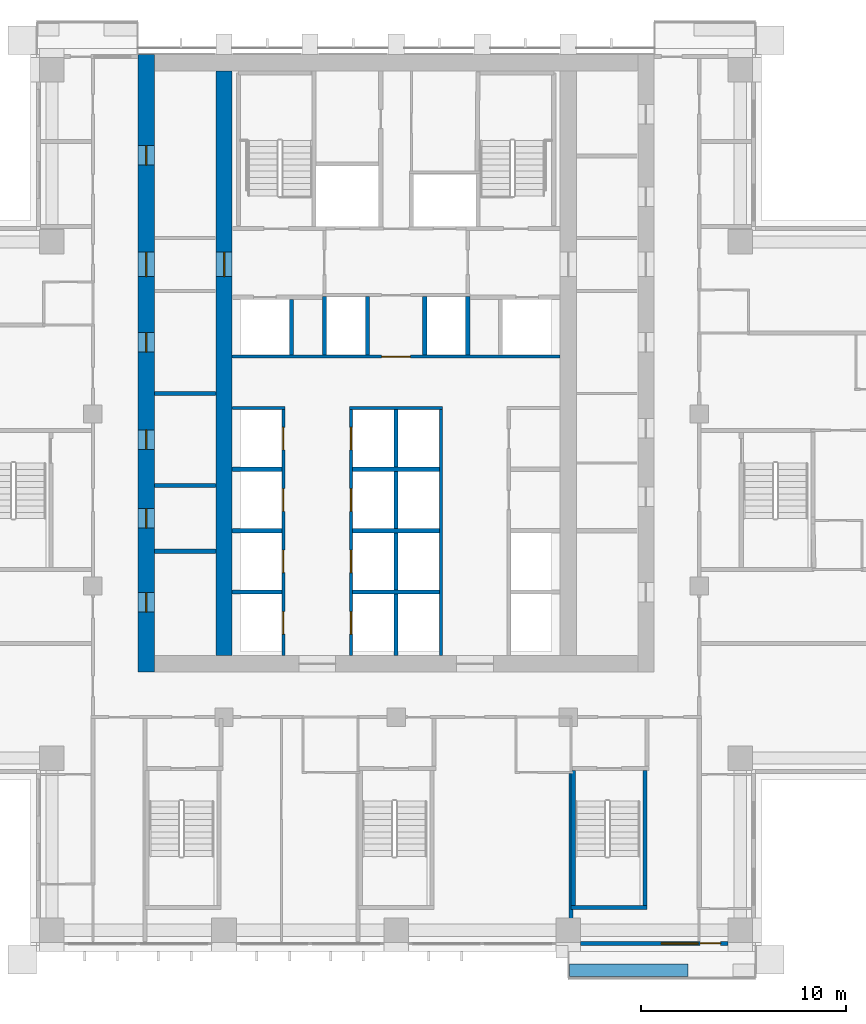
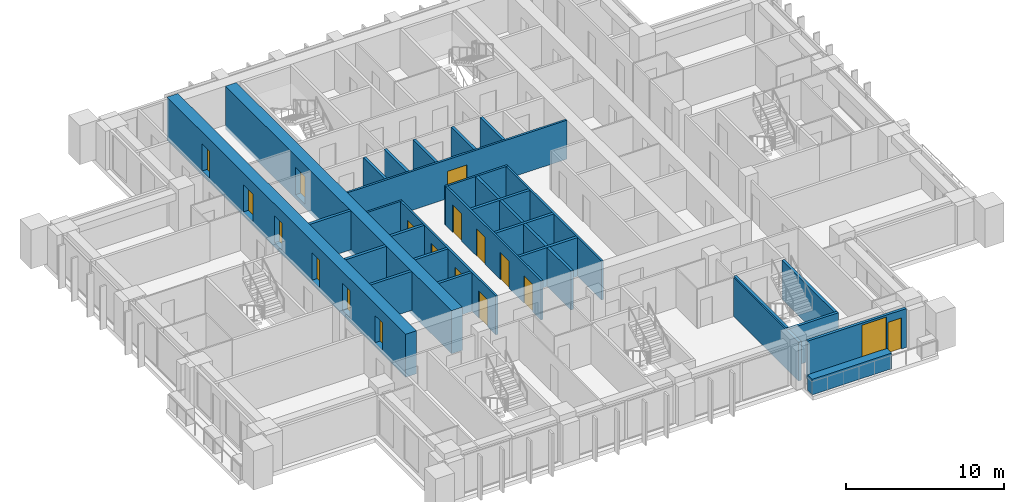
# One storey, part 11 of 21: 29 walls, 17 doors, 1 window, 18 openings.
"""IFC4 building model written with IfcOpenShell, lengths in metres."""

from ifc_helpers import new_model, si_unit, direction, frame, frame_2d, origin, place, context, subcontext, project, spatial, rectangle, extrude, material, layer, layer_set, type_object, element, fill, save


model = new_model("IFC4")

# Units and contexts
model_context = context("Model", 3, precision=1e-05, world=origin(), true_north=direction((0.0, 1.0)))
body_context = subcontext(model_context, "Body", "Model", "MODEL_VIEW")
ifc_project = project(units=[si_unit("LENGTHUNIT", "METRE"), si_unit("AREAUNIT", "SQUARE_METRE"), si_unit("VOLUMEUNIT", "CUBIC_METRE"), si_unit("PLANEANGLEUNIT", "RADIAN"), si_unit("MASSUNIT", "GRAM", prefix="KILO")], contexts=[model_context])

# Site, building, storey
site_placement = place(None, origin())
site = spatial("IfcSite", under=ifc_project, at=site_placement, CompositionType="ELEMENT")
building_placement = place(site_placement, origin())
building = spatial("IfcBuilding", under=site, at=building_placement, Name="Vermilion Ogive Tower", CompositionType="ELEMENT")
storey_placement = place(building_placement, frame((0.0, 0.0, 118.35009765625)))
storey = spatial("IfcBuildingStorey", under=building, at=storey_placement, Name="L30", CompositionType="ELEMENT", Elevation=118.35009765625)

# Wall, openings, doors
ifc_material_1 = material(Name="Concrete B80", Category="concrete")
ifc_layer_1 = layer(ifc_material_1, 0.800048828125)
ifc_layer_set_1 = layer_set([ifc_layer_1], Name="Core wall 800 B80")
wall_type_1 = type_object("IfcWallType", Name="Core wall 800 B80", PredefinedType="SHEAR", material=ifc_layer_set_1)
wall_1_placement = place(storey_placement, frame((-12.199951171875, -8.39990234375, -0.320068359375), z_axis=(0.0, 0.0, 1.0), x_axis=(0.0, 1.0, 0.0)))
wall_1 = element("IfcWall", 1, at=wall_1_placement, inside=storey, type_object=wall_type_1, Name="L30-CORE-W", PredefinedType="SHEAR", context=body_context, shape_type="SweptSolid", body=[
    extrude(rectangle(XDim=30.14990234375, YDim=0.800048828125, at=frame_2d((15.074951171875, 0.0))), origin(), (0.0, 0.0, 1.0), 3.320068359375),
])
opening_1_placement = place(wall_1_placement, frame((2.925048828125, 0.0, 0.320068359375)))
opening_1 = element("IfcOpeningElement", 2, at=opening_1_placement, cuts=wall_1, Name="Opening DAD062", PredefinedType="OPENING", context=body_context, shape_type="SweptSolid", body=[
    extrude(rectangle(XDim=0.949951171875, YDim=2.10009765625, at=frame_2d((0.47509765625, 1.050048828125))), frame((0.0, 0.409912109375, 0.0), z_axis=(0.0, -1.0, 0.0), x_axis=(1.0, 0.0, 0.0)), (0.0, 0.0, 1.0), 0.820068359375),
])
opening_2_placement = place(wall_1_placement, frame((7.02490234375, 0.0, 0.320068359375)))
opening_2 = element("IfcOpeningElement", 3, at=opening_2_placement, cuts=wall_1, Name="Opening DAD063", PredefinedType="OPENING", context=body_context, shape_type="SweptSolid", body=[
    extrude(rectangle(XDim=0.949951171875, YDim=2.10009765625, at=frame_2d((0.47509765625, 1.050048828125))), frame((0.0, 0.409912109375, 0.0), z_axis=(0.0, -1.0, 0.0), x_axis=(1.0, 0.0, 0.0)), (0.0, 0.0, 1.0), 0.820068359375),
])
opening_3_placement = place(wall_1_placement, frame((10.875, 0.0, 0.320068359375)))
opening_3 = element("IfcOpeningElement", 4, at=opening_3_placement, cuts=wall_1, Name="Opening DAD064", PredefinedType="OPENING", context=body_context, shape_type="SweptSolid", body=[
    extrude(rectangle(XDim=0.949951171875, YDim=2.10009765625, at=frame_2d((0.47509765625, 1.050048828125))), frame((0.0, 0.409912109375, 0.0), z_axis=(0.0, -1.0, 0.0), x_axis=(1.0, 0.0, 0.0)), (0.0, 0.0, 1.0), 0.820068359375),
])
opening_4_placement = place(wall_1_placement, frame((15.625, 0.0, 0.320068359375)))
opening_4 = element("IfcOpeningElement", 5, at=opening_4_placement, cuts=wall_1, Name="Opening DAD065", PredefinedType="OPENING", context=body_context, shape_type="SweptSolid", body=[
    extrude(rectangle(XDim=0.949951171875, YDim=2.10009765625, at=frame_2d((0.47509765625, 1.050048828125))), frame((0.0, 0.409912109375, 0.0), z_axis=(0.0, -1.0, 0.0), x_axis=(1.0, 0.0, 0.0)), (0.0, 0.0, 1.0), 0.820068359375),
])
opening_5_placement = place(wall_1_placement, frame((24.75, 0.0, 0.320068359375)))
opening_5 = element("IfcOpeningElement", 6, at=opening_5_placement, cuts=wall_1, Name="Opening DAD066", PredefinedType="OPENING", context=body_context, shape_type="SweptSolid", body=[
    extrude(rectangle(XDim=0.949951171875, YDim=2.10009765625, at=frame_2d((0.47509765625, 1.050048828125))), frame((0.0, 0.409912109375, 0.0), z_axis=(0.0, -1.0, 0.0), x_axis=(1.0, 0.0, 0.0)), (0.0, 0.0, 1.0), 0.820068359375),
])
opening_6_placement = place(wall_1_placement, frame((19.300048828125, 0.0, 0.320068359375)))
opening_6 = element("IfcOpeningElement", 7, at=opening_6_placement, cuts=wall_1, Name="Opening DAM012", PredefinedType="OPENING", context=body_context, shape_type="SweptSolid", body=[
    extrude(rectangle(XDim=1.199951171875, YDim=2.10009765625, at=frame_2d((0.60009765625, 1.050048828125))), frame((0.0, 0.409912109375, 0.0), z_axis=(0.0, -1.0, 0.0), x_axis=(1.0, 0.0, 0.0)), (0.0, 0.0, 1.0), 0.820068359375),
])
ifc_material_2 = material(Name="Timber door leaf", Category="wood")
door_type_1 = type_object("IfcDoorType", Name="Link door 1200 x 2100 FD60S", OperationType="SINGLE_SWING_LEFT", PredefinedType="DOOR", material=ifc_material_2)
door_1_placement = place(opening_6_placement, origin())
door_1 = element("IfcDoor", 8, at=door_1_placement, inside=storey, type_object=door_type_1, Name="L30-CKW-XL", OperationType="SINGLE_SWING_LEFT", OverallHeight=2.10009765625, OverallWidth=1.199951171875, PredefinedType="DOOR", context=body_context, shape_type="SweptSolid", body=[
    extrude(rectangle(XDim=1.199951171875, YDim=2.10009765625, at=frame_2d((0.60009765625, 1.050048828125))), frame((0.0, 0.02490234375, 0.0), z_axis=(0.0, -1.0, 0.0), x_axis=(1.0, 0.0, 0.0)), (0.0, 0.0, 1.0), 0.050048828125),
])
fill(opening_6, door_1)
ifc_material_3 = material(Name="Timber door leaf", Category="wood")
door_type_2 = type_object("IfcDoorType", Name="Service door 950 x 2100 FD60", OperationType="SINGLE_SWING_LEFT", PredefinedType="DOOR", material=ifc_material_3)
door_2_placement = place(opening_1_placement, origin())
door_2 = element("IfcDoor", 9, at=door_2_placement, inside=storey, type_object=door_type_2, Name="L30-CKW-XR0", OperationType="SINGLE_SWING_LEFT", OverallHeight=2.10009765625, OverallWidth=0.949951171875, PredefinedType="DOOR", context=body_context, shape_type="SweptSolid", body=[
    extrude(rectangle(XDim=0.949951171875, YDim=2.10009765625, at=frame_2d((0.47509765625, 1.050048828125))), frame((0.0, 0.02490234375, 0.0), z_axis=(0.0, -1.0, 0.0), x_axis=(1.0, 0.0, 0.0)), (0.0, 0.0, 1.0), 0.050048828125),
])
fill(opening_1, door_2)
door_3_placement = place(opening_2_placement, origin())
door_3 = element("IfcDoor", 10, at=door_3_placement, inside=storey, type_object=door_type_2, Name="L30-CKW-XR1", OperationType="SINGLE_SWING_LEFT", OverallHeight=2.10009765625, OverallWidth=0.949951171875, PredefinedType="DOOR", context=body_context, shape_type="SweptSolid", body=[
    extrude(rectangle(XDim=0.949951171875, YDim=2.10009765625, at=frame_2d((0.47509765625, 1.050048828125))), frame((0.0, 0.02490234375, 0.0), z_axis=(0.0, -1.0, 0.0), x_axis=(1.0, 0.0, 0.0)), (0.0, 0.0, 1.0), 0.050048828125),
])
fill(opening_2, door_3)
door_4_placement = place(opening_3_placement, origin())
door_4 = element("IfcDoor", 11, at=door_4_placement, inside=storey, type_object=door_type_2, Name="L30-CKW-XR2", OperationType="SINGLE_SWING_LEFT", OverallHeight=2.10009765625, OverallWidth=0.949951171875, PredefinedType="DOOR", context=body_context, shape_type="SweptSolid", body=[
    extrude(rectangle(XDim=0.949951171875, YDim=2.10009765625, at=frame_2d((0.47509765625, 1.050048828125))), frame((0.0, 0.02490234375, 0.0), z_axis=(0.0, -1.0, 0.0), x_axis=(1.0, 0.0, 0.0)), (0.0, 0.0, 1.0), 0.050048828125),
])
fill(opening_3, door_4)
door_5_placement = place(opening_4_placement, origin())
door_5 = element("IfcDoor", 12, at=door_5_placement, inside=storey, type_object=door_type_2, Name="L30-CKW-XR3", OperationType="SINGLE_SWING_LEFT", OverallHeight=2.10009765625, OverallWidth=0.949951171875, PredefinedType="DOOR", context=body_context, shape_type="SweptSolid", body=[
    extrude(rectangle(XDim=0.949951171875, YDim=2.10009765625, at=frame_2d((0.47509765625, 1.050048828125))), frame((0.0, 0.02490234375, 0.0), z_axis=(0.0, -1.0, 0.0), x_axis=(1.0, 0.0, 0.0)), (0.0, 0.0, 1.0), 0.050048828125),
])
fill(opening_4, door_5)
door_6_placement = place(opening_5_placement, origin())
door_6 = element("IfcDoor", 13, at=door_6_placement, inside=storey, type_object=door_type_2, Name="L30-CKW-XR4", OperationType="SINGLE_SWING_LEFT", OverallHeight=2.10009765625, OverallWidth=0.949951171875, PredefinedType="DOOR", context=body_context, shape_type="SweptSolid", body=[
    extrude(rectangle(XDim=0.949951171875, YDim=2.10009765625, at=frame_2d((0.47509765625, 1.050048828125))), frame((0.0, 0.02490234375, 0.0), z_axis=(0.0, -1.0, 0.0), x_axis=(1.0, 0.0, 0.0)), (0.0, 0.0, 1.0), 0.050048828125),
])
fill(opening_5, door_6)

# Wall, opening, door
wall_2_placement = place(storey_placement, frame((-8.39990234375, -7.60009765625, -0.320068359375), z_axis=(0.0, 0.0, 1.0), x_axis=(0.0, 1.0, 0.0)))
wall_2 = element("IfcWall", 14, at=wall_2_placement, inside=storey, type_object=wall_type_1, Name="L30-CORE-WEB1", PredefinedType="SHEAR", context=body_context, shape_type="SweptSolid", body=[
    extrude(rectangle(XDim=28.550048828125, YDim=0.800048828125, at=frame_2d((14.27490234375, 0.0))), origin(), (0.0, 0.0, 1.0), 3.320068359375),
])
opening_7_placement = place(wall_2_placement, frame((18.5, 0.0, 0.320068359375)))
opening_7 = element("IfcOpeningElement", 15, at=opening_7_placement, cuts=wall_2, Name="Opening DAP012", PredefinedType="OPENING", context=body_context, shape_type="SweptSolid", body=[
    extrude(rectangle(XDim=1.199951171875, YDim=2.10009765625, at=frame_2d((0.60009765625, 1.050048828125))), frame((0.0, 0.409912109375, 0.0), z_axis=(0.0, -1.0, 0.0), x_axis=(1.0, 0.0, 0.0)), (0.0, 0.0, 1.0), 0.820068359375),
])
door_7_placement = place(opening_7_placement, origin())
door_7 = element("IfcDoor", 16, at=door_7_placement, inside=storey, type_object=door_type_1, Name="L30-CKW-XW", OperationType="SINGLE_SWING_LEFT", OverallHeight=2.10009765625, OverallWidth=1.199951171875, PredefinedType="DOOR", context=body_context, shape_type="SweptSolid", body=[
    extrude(rectangle(XDim=1.199951171875, YDim=2.10009765625, at=frame_2d((0.60009765625, 1.050048828125))), frame((0.0, 0.02490234375, 0.0), z_axis=(0.0, -1.0, 0.0), x_axis=(1.0, 0.0, 0.0)), (0.0, 0.0, 1.0), 0.050048828125),
])
fill(opening_7, door_7)

# Walls
ifc_material_4 = material(Name="Gypsum board partition on steel studs", Category="steel")
ifc_layer_2 = layer(ifc_material_4, 0.14990234375)
ifc_layer_set_2 = layer_set([ifc_layer_2], Name="Partition 150 corridor")
wall_type_2 = type_object("IfcWallType", Name="Partition 150 corridor", PredefinedType="PARTITIONING", material=ifc_layer_set_2)
wall_3_placement = place(storey_placement, frame((-7.9990234375, 4.5, 0.0), z_axis=(0.0, 0.0, 1.0), x_axis=(1.0, 0.0, 0.0)))
element("IfcWall", 17, at=wall_3_placement, inside=storey, type_object=wall_type_2, Name="L30-CK-W-W010", PredefinedType="PARTITIONING", context=body_context, shape_type="SweptSolid", body=[
    extrude(rectangle(XDim=2.573974609375, YDim=0.14990234375, at=frame_2d((1.287109375, 0.0))), origin(), (0.0, 0.0, 1.0), 3.0),
])
wall_4_placement = place(storey_placement, frame((-2.27490234375, 4.5, 0.0), z_axis=(0.0, 0.0, 1.0), x_axis=(1.0, 0.0, 0.0)))
element("IfcWall", 18, at=wall_4_placement, inside=storey, type_object=wall_type_2, Name="L30-CK-W-W011", PredefinedType="PARTITIONING", context=body_context, shape_type="SweptSolid", body=[
    extrude(rectangle(XDim=4.5498046875, YDim=0.14990234375, at=frame_2d((2.27490234375, 0.0))), origin(), (0.0, 0.0, 1.0), 3.0),
])

# Wall, opening, door
wall_5_placement = place(storey_placement, frame((-7.9990234375, 7.0, 0.0), z_axis=(0.0, 0.0, 1.0), x_axis=(1.0, 0.0, 0.0)))
wall_5 = element("IfcWall", 19, at=wall_5_placement, inside=storey, type_object=wall_type_2, Name="L30-CK-W-W013", PredefinedType="PARTITIONING", context=body_context, shape_type="SweptSolid", body=[
    extrude(rectangle(XDim=15.998046875, YDim=0.14990234375, at=frame_2d((7.9990234375, 0.0))), origin(), (0.0, 0.0, 1.0), 3.0),
])
opening_8_placement = place(wall_5_placement, frame((7.299072265625, 0.0, 0.0)))
opening_8 = element("IfcOpeningElement", 20, at=opening_8_placement, cuts=wall_5, Name="Opening DAA255", PredefinedType="OPENING", context=body_context, shape_type="SweptSolid", body=[
    extrude(rectangle(XDim=1.39990234375, YDim=2.10009765625, at=frame_2d((0.699951171875, 1.050048828125))), frame((0.0, 0.0849609375, 0.0), z_axis=(0.0, -1.0, 0.0), x_axis=(1.0, 0.0, 0.0)), (0.0, 0.0, 1.0), 0.169921875),
])
ifc_material_5 = material(Name="Timber door leaf", Category="wood")
door_type_3 = type_object("IfcDoorType", Name="Lobby door 1400 x 2100 FD60S", OperationType="SINGLE_SWING_LEFT", PredefinedType="DOOR", material=ifc_material_5)
door_8_placement = place(opening_8_placement, origin())
door_8 = element("IfcDoor", 21, at=door_8_placement, inside=storey, type_object=door_type_3, Name="L30-CK-D-D015", OperationType="SINGLE_SWING_RIGHT", OverallHeight=2.10009765625, OverallWidth=1.39990234375, PredefinedType="DOOR", context=body_context, shape_type="SweptSolid", body=[
    extrude(rectangle(XDim=1.39990234375, YDim=2.10009765625, at=frame_2d((0.699951171875, 1.050048828125))), frame((0.0, 0.02490234375, 0.0), z_axis=(0.0, -1.0, 0.0), x_axis=(1.0, 0.0, 0.0)), (0.0, 0.0, 1.0), 0.050048828125),
])
fill(opening_8, door_8)

# Wall, openings, doors
wall_6_placement = place(storey_placement, frame((-5.5, -7.59912109375, 0.0), z_axis=(0.0, 0.0, 1.0), x_axis=(0.0, 1.0, 0.0)))
wall_6 = element("IfcWall", 22, at=wall_6_placement, inside=storey, type_object=wall_type_2, Name="L30-CK-W-W022", PredefinedType="PARTITIONING", context=body_context, shape_type="SweptSolid", body=[
    extrude(rectangle(XDim=12.024169921875, YDim=0.14990234375, at=frame_2d((6.01220703125, 0.0))), origin(), (0.0, 0.0, 1.0), 3.0),
])
opening_9_placement = place(wall_6_placement, frame((1.049072265625, 0.0, 0.0)))
opening_9 = element("IfcOpeningElement", 23, at=opening_9_placement, cuts=wall_6, Name="Opening DAA264", PredefinedType="OPENING", context=body_context, shape_type="SweptSolid", body=[
    extrude(rectangle(XDim=1.10009765625, YDim=2.10009765625, at=frame_2d((0.550048828125, 1.050048828125))), frame((0.0, 0.0849609375, 0.0), z_axis=(0.0, -1.0, 0.0), x_axis=(1.0, 0.0, 0.0)), (0.0, 0.0, 1.0), 0.169921875),
])
opening_10_placement = place(wall_6_placement, frame((4.049072265625, 0.0, 0.0)))
opening_10 = element("IfcOpeningElement", 24, at=opening_10_placement, cuts=wall_6, Name="Opening DAA267", PredefinedType="OPENING", context=body_context, shape_type="SweptSolid", body=[
    extrude(rectangle(XDim=1.10009765625, YDim=2.10009765625, at=frame_2d((0.550048828125, 1.050048828125))), frame((0.0, 0.0849609375, 0.0), z_axis=(0.0, -1.0, 0.0), x_axis=(1.0, 0.0, 0.0)), (0.0, 0.0, 1.0), 0.169921875),
])
opening_11_placement = place(wall_6_placement, frame((7.049072265625, 0.0, 0.0)))
opening_11 = element("IfcOpeningElement", 25, at=opening_11_placement, cuts=wall_6, Name="Opening DAA268", PredefinedType="OPENING", context=body_context, shape_type="SweptSolid", body=[
    extrude(rectangle(XDim=1.10009765625, YDim=2.10009765625, at=frame_2d((0.550048828125, 1.050048828125))), frame((0.0, 0.0849609375, 0.0), z_axis=(0.0, -1.0, 0.0), x_axis=(1.0, 0.0, 0.0)), (0.0, 0.0, 1.0), 0.169921875),
])
opening_12_placement = place(wall_6_placement, frame((10.049072265625, 0.0, 0.0)))
opening_12 = element("IfcOpeningElement", 26, at=opening_12_placement, cuts=wall_6, Name="Opening DAA269", PredefinedType="OPENING", context=body_context, shape_type="SweptSolid", body=[
    extrude(rectangle(XDim=1.10009765625, YDim=2.10009765625, at=frame_2d((0.550048828125, 1.050048828125))), frame((0.0, 0.0849609375, 0.0), z_axis=(0.0, -1.0, 0.0), x_axis=(1.0, 0.0, 0.0)), (0.0, 0.0, 1.0), 0.169921875),
])
ifc_material_6 = material(Name="Stainless steel", Category="steel")
door_type_4 = type_object("IfcDoorType", Name="Lift landing door 1100 x 2100", OperationType="SLIDING_TO_LEFT", PredefinedType="DOOR", material=ifc_material_6)
door_9_placement = place(opening_9_placement, origin())
door_9 = element("IfcDoor", 27, at=door_9_placement, inside=storey, type_object=door_type_4, Name="L30-CK-D-D001", OperationType="SLIDING_TO_LEFT", OverallHeight=2.10009765625, OverallWidth=1.10009765625, PredefinedType="DOOR", context=body_context, shape_type="SweptSolid", body=[
    extrude(rectangle(XDim=1.10009765625, YDim=2.10009765625, at=frame_2d((0.550048828125, 1.050048828125))), frame((0.0, 0.02490234375, 0.0), z_axis=(0.0, -1.0, 0.0), x_axis=(1.0, 0.0, 0.0)), (0.0, 0.0, 1.0), 0.050048828125),
])
fill(opening_9, door_9)
door_10_placement = place(opening_10_placement, origin())
door_10 = element("IfcDoor", 28, at=door_10_placement, inside=storey, type_object=door_type_4, Name="L30-CK-D-D002", OperationType="SLIDING_TO_LEFT", OverallHeight=2.10009765625, OverallWidth=1.10009765625, PredefinedType="DOOR", context=body_context, shape_type="SweptSolid", body=[
    extrude(rectangle(XDim=1.10009765625, YDim=2.10009765625, at=frame_2d((0.550048828125, 1.050048828125))), frame((0.0, 0.02490234375, 0.0), z_axis=(0.0, -1.0, 0.0), x_axis=(1.0, 0.0, 0.0)), (0.0, 0.0, 1.0), 0.050048828125),
])
fill(opening_10, door_10)
door_11_placement = place(opening_11_placement, origin())
door_11 = element("IfcDoor", 29, at=door_11_placement, inside=storey, type_object=door_type_4, Name="L30-CK-D-D003", OperationType="SLIDING_TO_LEFT", OverallHeight=2.10009765625, OverallWidth=1.10009765625, PredefinedType="DOOR", context=body_context, shape_type="SweptSolid", body=[
    extrude(rectangle(XDim=1.10009765625, YDim=2.10009765625, at=frame_2d((0.550048828125, 1.050048828125))), frame((0.0, 0.02490234375, 0.0), z_axis=(0.0, -1.0, 0.0), x_axis=(1.0, 0.0, 0.0)), (0.0, 0.0, 1.0), 0.050048828125),
])
fill(opening_11, door_11)
door_12_placement = place(opening_12_placement, origin())
door_12 = element("IfcDoor", 30, at=door_12_placement, inside=storey, type_object=door_type_4, Name="L30-CK-D-D004", OperationType="SLIDING_TO_LEFT", OverallHeight=2.10009765625, OverallWidth=1.10009765625, PredefinedType="DOOR", context=body_context, shape_type="SweptSolid", body=[
    extrude(rectangle(XDim=1.10009765625, YDim=2.10009765625, at=frame_2d((0.550048828125, 1.050048828125))), frame((0.0, 0.02490234375, 0.0), z_axis=(0.0, -1.0, 0.0), x_axis=(1.0, 0.0, 0.0)), (0.0, 0.0, 1.0), 0.050048828125),
])
fill(opening_12, door_12)

wall_7_placement = place(storey_placement, frame((-2.199951171875, -7.59912109375, 0.0), z_axis=(0.0, 0.0, 1.0), x_axis=(0.0, 1.0, 0.0)))
wall_7 = element("IfcWall", 31, at=wall_7_placement, inside=storey, type_object=wall_type_2, Name="L30-CK-W-W027", PredefinedType="PARTITIONING", context=body_context, shape_type="SweptSolid", body=[
    extrude(rectangle(XDim=12.024169921875, YDim=0.14990234375, at=frame_2d((6.01220703125, 0.0))), origin(), (0.0, 0.0, 1.0), 3.0),
])
opening_13_placement = place(wall_7_placement, frame((1.049072265625, 0.0, 0.0)))
opening_13 = element("IfcOpeningElement", 32, at=opening_13_placement, cuts=wall_7, Name="Opening DAA270", PredefinedType="OPENING", context=body_context, shape_type="SweptSolid", body=[
    extrude(rectangle(XDim=1.10009765625, YDim=2.10009765625, at=frame_2d((0.550048828125, 1.050048828125))), frame((0.0, 0.0849609375, 0.0), z_axis=(0.0, -1.0, 0.0), x_axis=(1.0, 0.0, 0.0)), (0.0, 0.0, 1.0), 0.169921875),
])
opening_14_placement = place(wall_7_placement, frame((4.049072265625, 0.0, 0.0)))
opening_14 = element("IfcOpeningElement", 33, at=opening_14_placement, cuts=wall_7, Name="Opening DAA271", PredefinedType="OPENING", context=body_context, shape_type="SweptSolid", body=[
    extrude(rectangle(XDim=1.10009765625, YDim=2.10009765625, at=frame_2d((0.550048828125, 1.050048828125))), frame((0.0, 0.0849609375, 0.0), z_axis=(0.0, -1.0, 0.0), x_axis=(1.0, 0.0, 0.0)), (0.0, 0.0, 1.0), 0.169921875),
])
opening_15_placement = place(wall_7_placement, frame((7.049072265625, 0.0, 0.0)))
opening_15 = element("IfcOpeningElement", 34, at=opening_15_placement, cuts=wall_7, Name="Opening DAA272", PredefinedType="OPENING", context=body_context, shape_type="SweptSolid", body=[
    extrude(rectangle(XDim=1.10009765625, YDim=2.10009765625, at=frame_2d((0.550048828125, 1.050048828125))), frame((0.0, 0.0849609375, 0.0), z_axis=(0.0, -1.0, 0.0), x_axis=(1.0, 0.0, 0.0)), (0.0, 0.0, 1.0), 0.169921875),
])
opening_16_placement = place(wall_7_placement, frame((10.049072265625, 0.0, 0.0)))
opening_16 = element("IfcOpeningElement", 35, at=opening_16_placement, cuts=wall_7, Name="Opening DAA273", PredefinedType="OPENING", context=body_context, shape_type="SweptSolid", body=[
    extrude(rectangle(XDim=1.10009765625, YDim=2.10009765625, at=frame_2d((0.550048828125, 1.050048828125))), frame((0.0, 0.0849609375, 0.0), z_axis=(0.0, -1.0, 0.0), x_axis=(1.0, 0.0, 0.0)), (0.0, 0.0, 1.0), 0.169921875),
])
door_13_placement = place(opening_13_placement, origin())
door_13 = element("IfcDoor", 36, at=door_13_placement, inside=storey, type_object=door_type_4, Name="L30-CK-D-D005", OperationType="SLIDING_TO_LEFT", OverallHeight=2.10009765625, OverallWidth=1.10009765625, PredefinedType="DOOR", context=body_context, shape_type="SweptSolid", body=[
    extrude(rectangle(XDim=1.10009765625, YDim=2.10009765625, at=frame_2d((0.550048828125, 1.050048828125))), frame((0.0, 0.02490234375, 0.0), z_axis=(0.0, -1.0, 0.0), x_axis=(1.0, 0.0, 0.0)), (0.0, 0.0, 1.0), 0.050048828125),
])
fill(opening_13, door_13)
door_14_placement = place(opening_14_placement, origin())
door_14 = element("IfcDoor", 37, at=door_14_placement, inside=storey, type_object=door_type_4, Name="L30-CK-D-D006", OperationType="SLIDING_TO_LEFT", OverallHeight=2.10009765625, OverallWidth=1.10009765625, PredefinedType="DOOR", context=body_context, shape_type="SweptSolid", body=[
    extrude(rectangle(XDim=1.10009765625, YDim=2.10009765625, at=frame_2d((0.550048828125, 1.050048828125))), frame((0.0, 0.02490234375, 0.0), z_axis=(0.0, -1.0, 0.0), x_axis=(1.0, 0.0, 0.0)), (0.0, 0.0, 1.0), 0.050048828125),
])
fill(opening_14, door_14)
door_15_placement = place(opening_15_placement, origin())
door_15 = element("IfcDoor", 38, at=door_15_placement, inside=storey, type_object=door_type_4, Name="L30-CK-D-D007", OperationType="SLIDING_TO_LEFT", OverallHeight=2.10009765625, OverallWidth=1.10009765625, PredefinedType="DOOR", context=body_context, shape_type="SweptSolid", body=[
    extrude(rectangle(XDim=1.10009765625, YDim=2.10009765625, at=frame_2d((0.550048828125, 1.050048828125))), frame((0.0, 0.02490234375, 0.0), z_axis=(0.0, -1.0, 0.0), x_axis=(1.0, 0.0, 0.0)), (0.0, 0.0, 1.0), 0.050048828125),
])
fill(opening_15, door_15)
door_16_placement = place(opening_16_placement, origin())
door_16 = element("IfcDoor", 39, at=door_16_placement, inside=storey, type_object=door_type_4, Name="L30-CK-D-D008", OperationType="SLIDING_TO_LEFT", OverallHeight=2.10009765625, OverallWidth=1.10009765625, PredefinedType="DOOR", context=body_context, shape_type="SweptSolid", body=[
    extrude(rectangle(XDim=1.10009765625, YDim=2.10009765625, at=frame_2d((0.550048828125, 1.050048828125))), frame((0.0, 0.02490234375, 0.0), z_axis=(0.0, -1.0, 0.0), x_axis=(1.0, 0.0, 0.0)), (0.0, 0.0, 1.0), 0.050048828125),
])
fill(opening_16, door_16)

# Walls
wall_8_placement = place(storey_placement, frame((2.199951171875, -7.59912109375, 0.0), z_axis=(0.0, 0.0, 1.0), x_axis=(0.0, 1.0, 0.0)))
element("IfcWall", 40, at=wall_8_placement, inside=storey, type_object=wall_type_2, Name="L30-CK-W-W034", PredefinedType="PARTITIONING", context=body_context, shape_type="SweptSolid", body=[
    extrude(rectangle(XDim=12.024169921875, YDim=0.14990234375, at=frame_2d((6.01220703125, 0.0))), origin(), (0.0, 0.0, 1.0), 3.0),
])
ifc_material_7 = material(Name="Gypsum board partition on steel studs", Category="steel")
ifc_layer_3 = layer(ifc_material_7, 0.199951171875)
ifc_layer_set_3 = layer_set([ifc_layer_3], Name="Partition 200 party")
wall_type_3 = type_object("IfcWallType", Name="Partition 200 party", PredefinedType="PARTITIONING", material=ifc_layer_set_3)
wall_9_placement = place(storey_placement, frame((-7.9990234375, -4.5, 0.0), z_axis=(0.0, 0.0, 1.0), x_axis=(1.0, 0.0, 0.0)))
element("IfcWall", 41, at=wall_9_placement, inside=storey, type_object=wall_type_3, Name="L30-CK-W-W001", PredefinedType="PARTITIONING", context=body_context, shape_type="SweptSolid", body=[
    extrude(rectangle(XDim=2.424072265625, YDim=0.199951171875, at=frame_2d((1.2119140625, 0.0))), origin(), (0.0, 0.0, 1.0), 3.0),
])
wall_10_placement = place(storey_placement, frame((-2.125, -4.5, 0.0), z_axis=(0.0, 0.0, 1.0), x_axis=(1.0, 0.0, 0.0)))
element("IfcWall", 42, at=wall_10_placement, inside=storey, type_object=wall_type_3, Name="L30-CK-W-W002", PredefinedType="PARTITIONING", context=body_context, shape_type="SweptSolid", body=[
    extrude(rectangle(XDim=4.25, YDim=0.199951171875, at=frame_2d((2.125, 0.0))), origin(), (0.0, 0.0, 1.0), 3.0),
])
wall_11_placement = place(storey_placement, frame((-7.9990234375, -1.5, 0.0), z_axis=(0.0, 0.0, 1.0), x_axis=(1.0, 0.0, 0.0)))
element("IfcWall", 43, at=wall_11_placement, inside=storey, type_object=wall_type_3, Name="L30-CK-W-W004", PredefinedType="PARTITIONING", context=body_context, shape_type="SweptSolid", body=[
    extrude(rectangle(XDim=2.424072265625, YDim=0.199951171875, at=frame_2d((1.2119140625, 0.0))), origin(), (0.0, 0.0, 1.0), 3.0),
])
wall_12_placement = place(storey_placement, frame((-2.125, -1.5, 0.0), z_axis=(0.0, 0.0, 1.0), x_axis=(1.0, 0.0, 0.0)))
element("IfcWall", 44, at=wall_12_placement, inside=storey, type_object=wall_type_3, Name="L30-CK-W-W005", PredefinedType="PARTITIONING", context=body_context, shape_type="SweptSolid", body=[
    extrude(rectangle(XDim=4.25, YDim=0.199951171875, at=frame_2d((2.125, 0.0))), origin(), (0.0, 0.0, 1.0), 3.0),
])
wall_13_placement = place(storey_placement, frame((-7.9990234375, 1.5, 0.0), z_axis=(0.0, 0.0, 1.0), x_axis=(1.0, 0.0, 0.0)))
element("IfcWall", 45, at=wall_13_placement, inside=storey, type_object=wall_type_3, Name="L30-CK-W-W007", PredefinedType="PARTITIONING", context=body_context, shape_type="SweptSolid", body=[
    extrude(rectangle(XDim=2.424072265625, YDim=0.199951171875, at=frame_2d((1.2119140625, 0.0))), origin(), (0.0, 0.0, 1.0), 3.0),
])
wall_14_placement = place(storey_placement, frame((-2.125, 1.5, 0.0), z_axis=(0.0, 0.0, 1.0), x_axis=(1.0, 0.0, 0.0)))
element("IfcWall", 46, at=wall_14_placement, inside=storey, type_object=wall_type_3, Name="L30-CK-W-W008", PredefinedType="PARTITIONING", context=body_context, shape_type="SweptSolid", body=[
    extrude(rectangle(XDim=4.25, YDim=0.199951171875, at=frame_2d((2.125, 0.0))), origin(), (0.0, 0.0, 1.0), 3.0),
])
wall_15_placement = place(storey_placement, frame((-5.10009765625, 7.074951171875, 0.0), z_axis=(0.0, 0.0, 1.0), x_axis=(0.0, 1.0, 0.0)))
element("IfcWall", 47, at=wall_15_placement, inside=storey, type_object=wall_type_3, Name="L30-CK-W-W023", PredefinedType="PARTITIONING", context=body_context, shape_type="SweptSolid", body=[
    extrude(rectangle(XDim=2.72509765625, YDim=0.199951171875, at=frame_2d((1.362548828125, 0.0))), origin(), (0.0, 0.0, 1.0), 3.0),
])
for number, where, z_axis, x_axis, name in (
    (48, (-3.5, 7.074951171875, 0.0), (0.0, 0.0, 1.0), (0.0, 1.0, 0.0), "L30-CK-W-W025"),
    (49, (-1.39990234375, 7.074951171875, 0.0), (0.0, 0.0, 1.0), (0.0, 1.0, 0.0), "L30-CK-W-W028"),
):
    element("IfcWall", number, at=place(storey_placement, frame(where, z_axis=z_axis, x_axis=x_axis)), inside=storey, type_object=wall_type_3, Name=name, PredefinedType="PARTITIONING", context=body_context, shape_type="SweptSolid", body=[
        extrude(rectangle(XDim=2.85009765625, YDim=0.199951171875, at=frame_2d((1.425048828125, 0.0))), origin(), (0.0, 0.0, 1.0), 3.0),
    ])
wall_16_placement = place(storey_placement, frame((0.0, -7.59912109375, 0.0), z_axis=(0.0, 0.0, 1.0), x_axis=(0.0, 1.0, 0.0)))
element("IfcWall", 50, at=wall_16_placement, inside=storey, type_object=wall_type_3, Name="L30-CK-W-W030", PredefinedType="PARTITIONING", context=body_context, shape_type="SweptSolid", body=[
    extrude(rectangle(XDim=12.024169921875, YDim=0.199951171875, at=frame_2d((6.01220703125, 0.0))), origin(), (0.0, 0.0, 1.0), 3.0),
])
for number, where, z_axis, x_axis, name in (
    (51, (1.39990234375, 7.074951171875, 0.0), (0.0, 0.0, 1.0), (0.0, 1.0, 0.0), "L30-CK-W-W033"),
    (52, (3.5, 7.074951171875, 0.0), (0.0, 0.0, 1.0), (0.0, 1.0, 0.0), "L30-CK-W-W035"),
):
    element("IfcWall", number, at=place(storey_placement, frame(where, z_axis=z_axis, x_axis=x_axis)), inside=storey, type_object=wall_type_3, Name=name, PredefinedType="PARTITIONING", context=body_context, shape_type="SweptSolid", body=[
        extrude(rectangle(XDim=2.85009765625, YDim=0.199951171875, at=frame_2d((1.425048828125, 0.0))), origin(), (0.0, 0.0, 1.0), 3.0),
    ])
for number, where, z_axis, x_axis, name in (
    (53, (-11.799072265625, -2.5, 0.0), (0.0, 0.0, 1.0), (1.0, 0.0, 0.0), "L30-CKW-W-W001"),
    (54, (-11.799072265625, 0.699951171875, 0.0), (0.0, 0.0, 1.0), (1.0, 0.0, 0.0), "L30-CKW-W-W002"),
    (55, (-11.799072265625, 5.199951171875, 0.0), (0.0, 0.0, 1.0), (1.0, 0.0, 0.0), "L30-CKW-W-W003"),
):
    element("IfcWall", number, at=place(storey_placement, frame(where, z_axis=z_axis, x_axis=x_axis)), inside=storey, type_object=wall_type_3, Name=name, PredefinedType="PARTITIONING", context=body_context, shape_type="SweptSolid", body=[
        extrude(rectangle(XDim=2.998046875, YDim=0.199951171875, at=frame_2d((1.4990234375, 0.0))), origin(), (0.0, 0.0, 1.0), 3.0),
    ])
ifc_material_8 = material(Name="Concrete B60", Category="concrete")
ifc_layer_4 = layer(ifc_material_8, 0.199951171875)
ifc_layer_set_4 = layer_set([ifc_layer_4], Name="Stair shaft wall 200 Concrete B60")
wall_type_4 = type_object("IfcWallType", Name="Stair shaft wall 200 Concrete B60", PredefinedType="SOLIDWALL", material=ifc_layer_set_4)
wall_17_placement = place(storey_placement, frame((8.552001953125, -19.89990234375, 0.0), z_axis=(0.0, 0.0, 1.0), x_axis=(1.0, 0.0, 0.0)))
element("IfcWall", 56, at=wall_17_placement, inside=storey, type_object=wall_type_4, Name="L30-W-W004", PredefinedType="SOLIDWALL", context=body_context, shape_type="SweptSolid", body=[
    extrude(rectangle(XDim=3.696044921875, YDim=0.199951171875, at=frame_2d((1.84814453125, 0.0))), origin(), (0.0, 0.0, 1.0), 3.0),
])
for number, where, z_axis, x_axis, name in (
    (57, (8.64990234375, -19.798095703125, 0.0), (0.0, 0.0, 1.0), (0.0, 1.0, 0.0), "L30-W-W065"),
    (58, (12.14990234375, -19.798095703125, 0.0), (0.0, 0.0, 1.0), (0.0, 1.0, 0.0), "L30-W-W066"),
):
    element("IfcWall", number, at=place(storey_placement, frame(where, z_axis=z_axis, x_axis=x_axis)), inside=storey, type_object=wall_type_4, Name=name, PredefinedType="SOLIDWALL", context=body_context, shape_type="SweptSolid", body=[
        extrude(rectangle(XDim=6.59619140625, YDim=0.199951171875, at=frame_2d((3.298095703125, 0.0))), origin(), (0.0, 0.0, 1.0), 3.0),
    ])
wall_18_placement = place(storey_placement, frame((8.550048828125, -21.550048828125, 0.0), z_axis=(0.0, 0.0, 1.0), x_axis=(0.0, 1.0, 0.0)))
element("IfcWall", 59, at=wall_18_placement, inside=storey, type_object=wall_type_4, Name="L30-W-W063-A", PredefinedType="SOLIDWALL", context=body_context, shape_type="SweptSolid", body=[
    extrude(rectangle(XDim=8.199951171875, YDim=0.199951171875, at=frame_2d((4.10009765625, 0.0))), origin(), (0.0, 0.0, 1.0), 3.0),
])
ifc_material_9 = material(Name="Concrete B40", Category="concrete")
ifc_layer_5 = layer(ifc_material_9, 0.60009765625)
ifc_layer_set_5 = layer_set([ifc_layer_5], Name="Structural planter")
wall_type_5 = type_object("IfcWallType", Name="Structural planter", PredefinedType="USERDEFINED", material=ifc_layer_set_5)
wall_19_placement = place(storey_placement, frame((8.4599609375, -22.9541015625, -0.0400390625), z_axis=(0.0, 0.0, 1.0), x_axis=(1.0, 0.0, 0.0)))
element("IfcWall", 60, at=wall_19_placement, inside=storey, type_object=wall_type_5, Name="Planter S04A1", ObjectType="PLANTER", PredefinedType="USERDEFINED", context=body_context, shape_type="SweptSolid", body=[
    extrude(rectangle(XDim=5.7900390625, YDim=0.60009765625, at=frame_2d((2.89501953125, 0.0))), origin(), (0.0, 0.0, 1.0), 1.199951171875),
])

# Wall, openings, door, window
ifc_material_10 = material(Name="Aluminium window wall framing", Category="aluminium")
ifc_layer_6 = layer(ifc_material_10, 0.199951171875)
ifc_layer_set_6 = layer_set([ifc_layer_6], Name="Window wall")
wall_type_6 = type_object("IfcWallType", Name="Window wall", PredefinedType="STANDARD", material=ifc_layer_set_6)
wall_20_placement = place(storey_placement, frame((9.0, -21.64990234375, 0.0), z_axis=(0.0, 0.0, 1.0), x_axis=(1.0, 0.0, 0.0)))
wall_20 = element("IfcWall", 61, at=wall_20_placement, inside=storey, type_object=wall_type_6, Name="Window wall S4", PredefinedType="STANDARD", context=body_context, shape_type="SweptSolid", body=[
    extrude(rectangle(XDim=7.199951171875, YDim=0.199951171875, at=frame_2d((3.60009765625, 0.0))), origin(), (0.0, 0.0, 1.0), 3.0),
])
opening_17_placement = place(wall_20_placement, frame((3.949951171875, 0.0, 0.199951171875)))
opening_17 = element("IfcOpeningElement", 62, at=opening_17_placement, cuts=wall_20, Name="Opening W1-S03", PredefinedType="OPENING", context=body_context, shape_type="SweptSolid", body=[
    extrude(rectangle(XDim=1.800048828125, YDim=2.64990234375, at=frame_2d((0.89990234375, 1.324951171875))), frame((0.0, 0.10986328125, 0.0), z_axis=(0.0, -1.0, 0.0), x_axis=(1.0, 0.0, 0.0)), (0.0, 0.0, 1.0), 0.219970703125),
])
opening_18_placement = place(wall_20_placement, frame((5.85009765625, 0.0, 0.0)))
opening_18 = element("IfcOpeningElement", 63, at=opening_18_placement, cuts=wall_20, Name="Opening D1-S03", PredefinedType="OPENING", context=body_context, shape_type="SweptSolid", body=[
    extrude(rectangle(XDim=1.0, YDim=2.39990234375, at=frame_2d((0.5, 1.199951171875))), frame((0.0, 0.10986328125, 0.0), z_axis=(0.0, -1.0, 0.0), x_axis=(1.0, 0.0, 0.0)), (0.0, 0.0, 1.0), 0.219970703125),
])
ifc_material_11 = material(Name="Aluminium framed glazed door", Category="aluminium")
door_type_5 = type_object("IfcDoorType", Name="Balcony door D1", OperationType="SINGLE_SWING_LEFT", PredefinedType="DOOR", material=ifc_material_11)
door_17_placement = place(opening_18_placement, origin())
door_17 = element("IfcDoor", 64, at=door_17_placement, inside=storey, type_object=door_type_5, Name="Balcony door S03", OperationType="SINGLE_SWING_LEFT", OverallHeight=2.39990234375, OverallWidth=1.0, PredefinedType="DOOR", context=body_context, shape_type="SweptSolid", body=[
    extrude(rectangle(XDim=1.0, YDim=2.39990234375, at=frame_2d((0.5, 1.199951171875))), frame((0.0, 0.02490234375, 0.0), z_axis=(0.0, -1.0, 0.0), x_axis=(1.0, 0.0, 0.0)), (0.0, 0.0, 1.0), 0.050048828125),
])
fill(opening_18, door_17)
ifc_material_12 = material(Name="Aluminium framed double glazing", Category="aluminium")
window_type = type_object("IfcWindowType", Name="Guest window W1", PartitioningType="SINGLE_PANEL", PredefinedType="WINDOW", material=ifc_material_12)
window_placement = place(opening_17_placement, origin())
window = element("IfcWindow", 65, at=window_placement, inside=storey, type_object=window_type, Name="Window S03", OverallHeight=2.64990234375, OverallWidth=1.800048828125, PartitioningType="SINGLE_PANEL", PredefinedType="WINDOW", context=body_context, shape_type="SweptSolid", body=[
    extrude(rectangle(XDim=1.800048828125, YDim=2.64990234375, at=frame_2d((0.89990234375, 1.324951171875))), frame((0.0, 0.030029296875, 0.0), z_axis=(0.0, -1.0, 0.0), x_axis=(1.0, 0.0, 0.0)), (0.0, 0.0, 1.0), 0.06005859375),
])
fill(opening_17, window)

save(model, "model.ifc")
